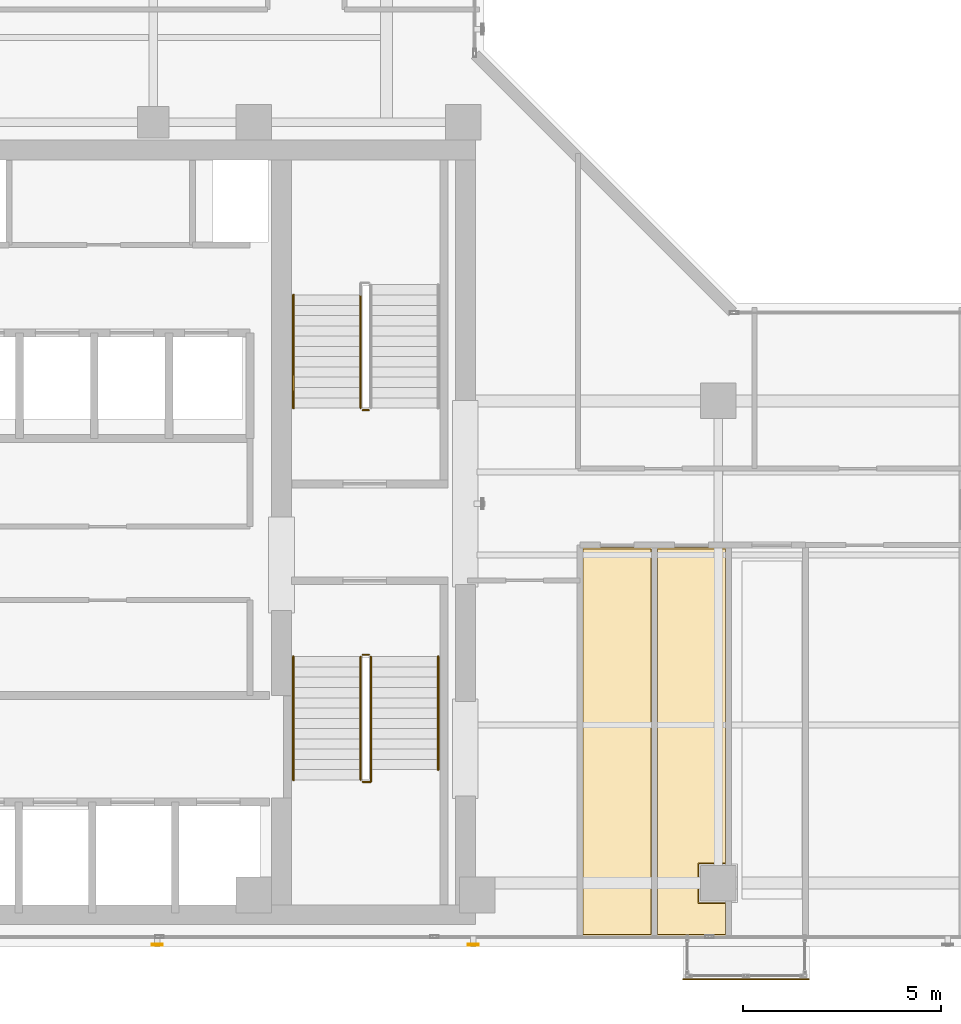
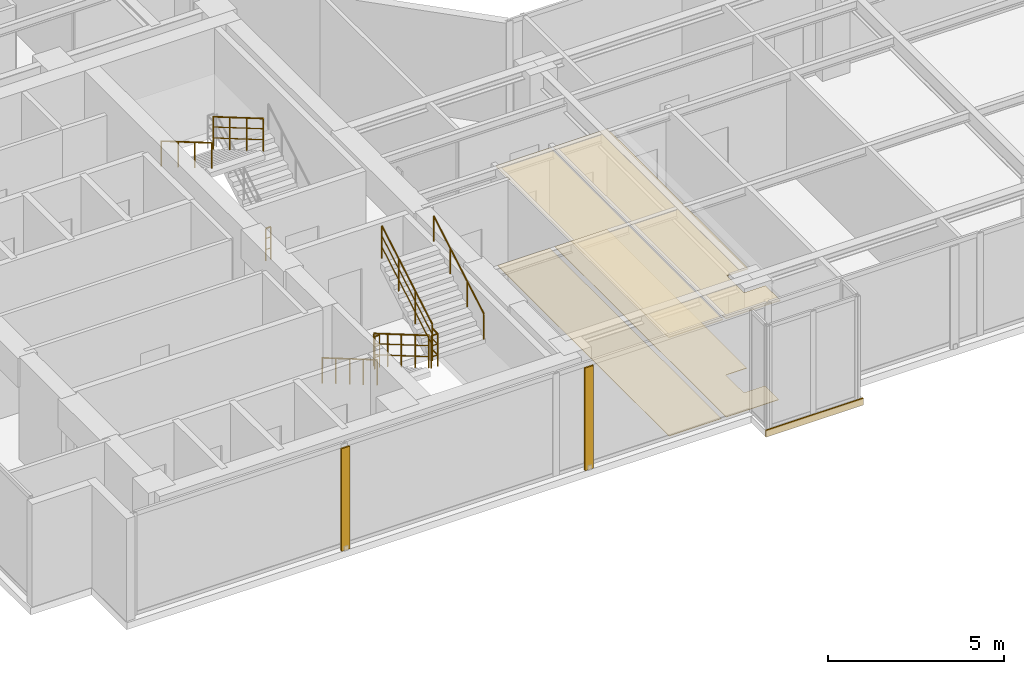
# One storey, part 20 of 22: 9 railings, 5 coverings, 2 shading devices.
"""IFC4 building model written with IfcOpenShell, lengths in metres."""

from ifc_helpers import new_model, si_unit, direction, frame, origin, origin_2d, place, context, subcontext, project, spatial, polyline, rectangle, hollow_rectangle, circle, outline, extrude, material, layer, layer_set, material_profile, profile_set, type_object, element, save


model = new_model("IFC4")

# Units and contexts
model_context = context("Model", 3, precision=1e-05, world=origin(), true_north=direction((0.0, 1.0)))
body_context = subcontext(model_context, "Body", "Model", "MODEL_VIEW")
ifc_project = project(units=[si_unit("LENGTHUNIT", "METRE"), si_unit("AREAUNIT", "SQUARE_METRE"), si_unit("VOLUMEUNIT", "CUBIC_METRE"), si_unit("PLANEANGLEUNIT", "RADIAN"), si_unit("MASSUNIT", "GRAM", prefix="KILO")], contexts=[model_context])

# Site, building, storey
site_placement = place(None, origin())
site = spatial("IfcSite", under=ifc_project, at=site_placement, CompositionType="ELEMENT")
building_placement = place(site_placement, origin())
building = spatial("IfcBuilding", under=site, at=building_placement, Name="Kolvaren Waterfront Exchange", CompositionType="ELEMENT")
storey_placement = place(building_placement, frame((0.0, 0.0, 308.39990234375)))
storey = spatial("IfcBuildingStorey", under=building, at=storey_placement, Name="L79", CompositionType="ELEMENT", Elevation=308.39990234375)

# Coverings
ifc_material_1 = material(Name="Mineral fibre acoustic ceiling tile")
ifc_layer_1 = layer(ifc_material_1, 0.02490234375, Name="Mineral fibre acoustic ceiling tile")
ifc_layer_set_1 = layer_set([ifc_layer_1], Name="Mineral fibre acoustic ceiling tile")
covering_type_1 = type_object("IfcCoveringType", Name="ARC-CEIL-ACOUSTIC-25", PredefinedType="CEILING", material=ifc_layer_set_1)
covering_1_placement = place(storey_placement, frame((0.0, 0.0, 3.445068359375)))
element("IfcCovering", 1, at=covering_1_placement, inside=storey, type_object=covering_type_1, Name="L79 acoustic suspended ceiling 1", PredefinedType="CEILING", context=body_context, shape_type="SweptSolid", body=[
    extrude(outline(polyline([(25.534912109375, 3.864990234375), (25.534912109375, 13.695068359375), (23.7451171875, 13.695068359375), (23.7451171875, 3.864990234375), (25.534912109375, 3.864990234375)])), origin(), (0.0, 0.0, 1.0), 0.025146484375),
])
covering_2_placement = place(storey_placement, frame((0.0, 0.0, 3.445068359375)))
element("IfcCovering", 2, at=covering_2_placement, inside=storey, type_object=covering_type_1, Name="L79 acoustic suspended ceiling 2", PredefinedType="CEILING", context=body_context, shape_type="SweptSolid", body=[
    extrude(outline(polyline([(27.4150390625, 4.7099609375), (26.7099609375, 4.7099609375), (26.7099609375, 5.68994140625), (27.4150390625, 5.68994140625), (27.4150390625, 13.695068359375), (25.625, 13.695068359375), (25.625, 3.864990234375), (27.4150390625, 3.864990234375), (27.4150390625, 4.7099609375)])), origin(), (0.0, 0.0, 1.0), 0.025146484375),
])
ifc_material_2 = material(Name="Anodised bronze fascia aluminium", Category="aluminium")
ifc_layer_2 = layer(ifc_material_2, 0.034912109375, Name="Anodised bronze fascia aluminium")
ifc_layer_set_2 = layer_set([ifc_layer_2], Name="Anodised bronze fascia aluminium")
covering_type_2 = type_object("IfcCoveringType", Name="ARC-CLAD-BRONZE-35", PredefinedType="CLADDING", material=ifc_layer_set_2)
covering_3_placement = place(storey_placement, frame((27.89990234375, 2.77001953125, -0.2197265625), z_axis=(0.0, 0.0, 1.0), x_axis=(1.0, 0.0, 0.0)))
element("IfcCovering", 3, at=covering_3_placement, inside=storey, type_object=covering_type_2, Name="L79 ribbed anodised bronze bay-box fascia", PredefinedType="CLADDING", context=body_context, shape_type="SweptSolid", body=[
    extrude(rectangle(XDim=3.199951171875, YDim=0.034912109375, at=origin_2d()), origin(), (0.0, 0.0, 1.0), 0.239990234375),
])

# Shading devices
ifc_material_3 = material(Name="Anodised bronze aluminium 6063-T6", Category="aluminium")
ifc_material_profile = material_profile(ifc_material_3, hollow_rectangle(XDim=0.054931640625, YDim=0.280029296875, WallThickness=0.00439453125, at=origin_2d()), Name="BRZ-FIN-280x55x4.5")
ifc_profile_set = profile_set([ifc_material_profile], Name="Anodised bronze aluminium 6063-T6")
shading_device_type = type_object("IfcShadingDeviceType", Name="ARC-FIN-280", PredefinedType="USERDEFINED", material=ifc_profile_set)
for number, where, z_axis, x_axis, name in (
    (4, (13.0, 3.639892578125, 0.0), (0.0, 0.0, 1.0), (0.0, -1.0, 0.0), "L79 anodised bronze solar shading fin FIN-L79-S1"),
    (5, (21.0, 3.639892578125, 0.0), (0.0, 0.0, 1.0), (0.0, -1.0, 0.0), "L79 anodised bronze solar shading fin FIN-L79-S2"),
):
    element("IfcShadingDevice", number, at=place(storey_placement, frame(where, z_axis=z_axis, x_axis=x_axis)), inside=storey, type_object=shading_device_type, Name=name, ObjectType="SOLAR FIN", PredefinedType="USERDEFINED", context=body_context, shape_type="SweptSolid", body=[
        extrude(hollow_rectangle(XDim=0.054931640625, YDim=0.280029296875, WallThickness=0.00439453125, at=origin_2d()), origin(), (0.0, 0.0, 1.0), 3.56005859375),
    ])

# Coverings
ifc_material_4 = material(Name="Slip-resistant porcelain tile")
ifc_layer_3 = layer(ifc_material_4, 0.014892578125, Name="Slip-resistant porcelain tile")
ifc_layer_set_3 = layer_set([ifc_layer_3], Name="Slip-resistant porcelain tile")
covering_type_3 = type_object("IfcCoveringType", Name="ARC-FLR-PORC-15", PredefinedType="FLOORING", material=ifc_layer_set_3)
covering_4_placement = place(storey_placement, origin())
element("IfcCovering", 6, at=covering_4_placement, inside=storey, type_object=covering_type_3, Name="L79 floor finish 1", PredefinedType="FLOORING", context=body_context, shape_type="SweptSolid", body=[
    extrude(outline(polyline([(23.780029296875, 13.659912109375), (23.780029296875, 3.89990234375), (25.5, 3.89990234375), (25.5, 13.659912109375), (23.780029296875, 13.659912109375)])), origin(), (0.0, 0.0, 1.0), 0.01513671875),
])
covering_5_placement = place(storey_placement, origin())
element("IfcCovering", 7, at=covering_5_placement, inside=storey, type_object=covering_type_3, Name="L79 floor finish 2", PredefinedType="FLOORING", context=body_context, shape_type="SweptSolid", body=[
    extrude(outline(polyline([(25.659912109375, 13.659912109375), (25.659912109375, 3.89990234375), (27.3798828125, 3.89990234375), (27.3798828125, 4.68994140625), (26.68994140625, 4.68994140625), (26.68994140625, 5.7099609375), (27.3798828125, 5.7099609375), (27.3798828125, 13.659912109375), (25.659912109375, 13.659912109375)])), origin(), (0.0, 0.0, 1.0), 0.01513671875),
])

# Railings
ifc_material_5 = material(Name="Stainless steel 316", Category="steel")
railing_type_1 = type_object("IfcRailingType", Name="ARC-GUARD-STAIR", PredefinedType="GUARDRAIL", material=ifc_material_5)
railing_1_placement = place(storey_placement, frame((18.14990234375, 10.929931640625, 0.152099609375)))
element("IfcRailing", 8, at=railing_1_placement, inside=storey, type_object=railing_type_1, Name="L79 ST1 stair guard 1", PredefinedType="GUARDRAIL", context=body_context, shape_type="SweptSolid", body=[
    extrude(circle(Radius=0.02392578125, at=origin_2d()), frame((0.0, 0.0, 1.1259765625), z_axis=(0.0, -0.86329090724, 0.504706656858), x_axis=(1.0, 0.0, 0.0)), (0.0, 0.0, 1.0), 3.614013671875),
    extrude(circle(Radius=0.01611328125, at=origin_2d()), frame((0.0, 0.0, 0.390869140625), z_axis=(0.0, -0.86329090724, 0.504706656858), x_axis=(1.0, 0.0, 0.0)), (0.0, 0.0, 1.0), 3.614013671875),
    extrude(circle(Radius=0.01611328125, at=origin_2d()), frame((0.0, 0.0, 0.7705078125), z_axis=(0.0, -0.86329090724, 0.504706656858), x_axis=(1.0, 0.0, 0.0)), (0.0, 0.0, 1.0), 3.614013671875),
    extrude(circle(Radius=0.02099609375, at=origin_2d()), origin(), (0.0, 0.0, 1.0), 1.101806640625),
    extrude(circle(Radius=0.02099609375, at=origin_2d()), frame((0.0, -0.780029296875, 0.4560546875)), (0.0, 0.0, 1.0), 1.101806640625),
    extrude(circle(Radius=0.02099609375, at=origin_2d()), frame((0.0, -1.56005859375, 0.912109375)), (0.0, 0.0, 1.0), 1.101806640625),
    extrude(circle(Radius=0.02099609375, at=origin_2d()), frame((0.0, -2.33984375, 1.367919921875)), (0.0, 0.0, 1.0), 1.101806640625),
    extrude(circle(Radius=0.02099609375, at=origin_2d()), frame((0.0, -3.119873046875, 1.823974609375)), (0.0, 0.0, 1.0), 1.101806640625),
])
railing_2_placement = place(storey_placement, frame((18.199951171875, 7.760009765625, 1.97607421875)))
element("IfcRailing", 9, at=railing_2_placement, inside=storey, type_object=railing_type_1, Name="L79 ST1 stair guard 2", PredefinedType="GUARDRAIL", context=body_context, shape_type="SweptSolid", body=[
    extrude(circle(Radius=0.02392578125, at=origin_2d()), frame((0.0, 0.0, 1.1259765625), z_axis=(1.0, 0.0, 0.0), x_axis=(0.0, 1.0, 0.0)), (0.0, 0.0, 1.0), 0.2099609375),
    extrude(circle(Radius=0.01611328125, at=origin_2d()), frame((0.0, 0.0, 0.390869140625), z_axis=(1.0, 0.0, 0.0), x_axis=(0.0, 1.0, 0.0)), (0.0, 0.0, 1.0), 0.2099609375),
    extrude(circle(Radius=0.01611328125, at=origin_2d()), frame((0.0, 0.0, 0.7705078125), z_axis=(1.0, 0.0, 0.0), x_axis=(0.0, 1.0, 0.0)), (0.0, 0.0, 1.0), 0.2099609375),
    extrude(circle(Radius=0.02392578125, at=origin_2d()), frame((0.2099609375, 0.0, 1.1259765625), z_axis=(0.0, 1.0, 0.0), x_axis=(-1.0, 0.0, 0.0)), (0.0, 0.0, 1.0), 0.31005859375),
    extrude(circle(Radius=0.01611328125, at=origin_2d()), frame((0.2099609375, 0.0, 0.390869140625), z_axis=(0.0, 1.0, 0.0), x_axis=(-1.0, 0.0, 0.0)), (0.0, 0.0, 1.0), 0.31005859375),
    extrude(circle(Radius=0.01611328125, at=origin_2d()), frame((0.2099609375, 0.0, 0.7705078125), z_axis=(0.0, 1.0, 0.0), x_axis=(-1.0, 0.0, 0.0)), (0.0, 0.0, 1.0), 0.31005859375),
    extrude(circle(Radius=0.02099609375, at=origin_2d()), origin(), (0.0, 0.0, 1.0), 1.101806640625),
    extrude(circle(Radius=0.02099609375, at=origin_2d()), frame((0.2099609375, 0.0, 0.0)), (0.0, 0.0, 1.0), 1.101806640625),
    extrude(circle(Radius=0.02099609375, at=origin_2d()), frame((0.2099609375, 0.31005859375, 0.0)), (0.0, 0.0, 1.0), 1.101806640625),
])
railing_3_placement = place(storey_placement, frame((18.409912109375, 8.070068359375, 2.128173828125)))
element("IfcRailing", 10, at=railing_3_placement, inside=storey, type_object=railing_type_1, Name="L79 ST1 stair guard 3", PredefinedType="GUARDRAIL", context=body_context, shape_type="SweptSolid", body=[
    extrude(circle(Radius=0.02392578125, at=origin_2d()), frame((0.0, 0.0, 1.1259765625), z_axis=(0.0, 0.86330272217, 0.504686447108), x_axis=(-1.0, 0.0, 0.0)), (0.0, 0.0, 1.0), 3.312744140625),
    extrude(circle(Radius=0.01611328125, at=origin_2d()), frame((0.0, 0.0, 0.390869140625), z_axis=(0.0, 0.86330272217, 0.504686447108), x_axis=(-1.0, 0.0, 0.0)), (0.0, 0.0, 1.0), 3.312744140625),
    extrude(circle(Radius=0.01611328125, at=origin_2d()), frame((0.0, 0.0, 0.7705078125), z_axis=(0.0, 0.86330272217, 0.504686447108), x_axis=(-1.0, 0.0, 0.0)), (0.0, 0.0, 1.0), 3.312744140625),
    extrude(circle(Radius=0.02099609375, at=origin_2d()), origin(), (0.0, 0.0, 1.0), 1.101806640625),
    extrude(circle(Radius=0.02099609375, at=origin_2d()), frame((0.0, 0.953369140625, 0.557373046875)), (0.0, 0.0, 1.0), 1.101806640625),
    extrude(circle(Radius=0.02099609375, at=origin_2d()), frame((0.0, 1.906494140625, 1.114501953125)), (0.0, 0.0, 1.0), 1.101806640625),
    extrude(circle(Radius=0.02099609375, at=origin_2d()), frame((0.0, 2.85986328125, 1.671875)), (0.0, 0.0, 1.0), 1.101806640625),
])
railing_4_placement = place(storey_placement, frame((18.199951171875, 10.97998046875, 0.0)))
element("IfcRailing", 11, at=railing_4_placement, inside=storey, type_object=railing_type_1, Name="L79 ST1 stair guard 4", PredefinedType="GUARDRAIL", context=body_context, shape_type="SweptSolid", body=[
    extrude(circle(Radius=0.02392578125, at=origin_2d()), frame((0.0, 0.0, 1.1259765625), z_axis=(1.0, 0.0, 0.0), x_axis=(0.0, 1.0, 0.0)), (0.0, 0.0, 1.0), 0.16015625),
    extrude(circle(Radius=0.01611328125, at=origin_2d()), frame((0.0, 0.0, 0.390869140625), z_axis=(1.0, 0.0, 0.0), x_axis=(0.0, 1.0, 0.0)), (0.0, 0.0, 1.0), 0.16015625),
    extrude(circle(Radius=0.01611328125, at=origin_2d()), frame((0.0, 0.0, 0.7705078125), z_axis=(1.0, 0.0, 0.0), x_axis=(0.0, 1.0, 0.0)), (0.0, 0.0, 1.0), 0.16015625),
    extrude(circle(Radius=0.02099609375, at=origin_2d()), origin(), (0.0, 0.0, 1.0), 1.101806640625),
    extrude(circle(Radius=0.02099609375, at=origin_2d()), frame((0.16015625, 0.0, 0.0)), (0.0, 0.0, 1.0), 1.101806640625),
])
railing_5_placement = place(storey_placement, frame((18.14990234375, 20.080078125, 2.128173828125)))
element("IfcRailing", 12, at=railing_5_placement, inside=storey, type_object=railing_type_1, Name="L79 ST2 stair guard 3", PredefinedType="GUARDRAIL", context=body_context, shape_type="SweptSolid", body=[
    extrude(circle(Radius=0.02392578125, at=origin_2d()), frame((0.0, 0.0, 1.1259765625), z_axis=(0.0, -0.863321491973, 0.504654338629), x_axis=(1.0, 0.0, 0.0)), (0.0, 0.0, 1.0), 3.31298828125),
    extrude(circle(Radius=0.01611328125, at=origin_2d()), frame((0.0, 0.0, 0.390869140625), z_axis=(0.0, -0.863321491973, 0.504654338629), x_axis=(1.0, 0.0, 0.0)), (0.0, 0.0, 1.0), 3.31298828125),
    extrude(circle(Radius=0.01611328125, at=origin_2d()), frame((0.0, 0.0, 0.7705078125), z_axis=(0.0, -0.863321491973, 0.504654338629), x_axis=(1.0, 0.0, 0.0)), (0.0, 0.0, 1.0), 3.31298828125),
    extrude(circle(Radius=0.02099609375, at=origin_2d()), origin(), (0.0, 0.0, 1.0), 1.101806640625),
    extrude(circle(Radius=0.02099609375, at=origin_2d()), frame((0.0, -0.953369140625, 0.557373046875)), (0.0, 0.0, 1.0), 1.101806640625),
    extrude(circle(Radius=0.02099609375, at=origin_2d()), frame((0.0, -1.90673828125, 1.114501953125)), (0.0, 0.0, 1.0), 1.101806640625),
    extrude(circle(Radius=0.02099609375, at=origin_2d()), frame((0.0, -2.860107421875, 1.671875)), (0.0, 0.0, 1.0), 1.101806640625),
])
railing_6_placement = place(storey_placement, frame((18.360107421875, 17.169921875, 0.0)))
element("IfcRailing", 13, at=railing_6_placement, inside=storey, type_object=railing_type_1, Name="L79 ST2 stair guard 4", PredefinedType="GUARDRAIL", context=body_context, shape_type="SweptSolid", body=[
    extrude(circle(Radius=0.02392578125, at=origin_2d()), frame((0.0, 0.0, 1.1259765625), z_axis=(-1.0, 0.0, 0.0), x_axis=(0.0, -1.0, 0.0)), (0.0, 0.0, 1.0), 0.16015625),
    extrude(circle(Radius=0.01611328125, at=origin_2d()), frame((0.0, 0.0, 0.390869140625), z_axis=(-1.0, 0.0, 0.0), x_axis=(0.0, -1.0, 0.0)), (0.0, 0.0, 1.0), 0.16015625),
    extrude(circle(Radius=0.01611328125, at=origin_2d()), frame((0.0, 0.0, 0.7705078125), z_axis=(-1.0, 0.0, 0.0), x_axis=(0.0, -1.0, 0.0)), (0.0, 0.0, 1.0), 0.16015625),
    extrude(circle(Radius=0.02099609375, at=origin_2d()), origin(), (0.0, 0.0, 1.0), 1.101806640625),
    extrude(circle(Radius=0.02099609375, at=origin_2d()), frame((-0.16015625, 0.0, 0.0)), (0.0, 0.0, 1.0), 1.101806640625),
])
railing_type_2 = type_object("IfcRailingType", Name="ARC-HANDRAIL-900", PredefinedType="HANDRAIL", material=ifc_material_5)
railing_7_placement = place(storey_placement, frame((16.449951171875, 10.929931640625, 0.152099609375)))
element("IfcRailing", 14, at=railing_7_placement, inside=storey, type_object=railing_type_2, Name="L79 ST1 stair handrail 1", PredefinedType="HANDRAIL", context=body_context, shape_type="SweptSolid", body=[
    extrude(circle(Radius=0.02392578125, at=origin_2d()), frame((0.0, 0.0, 0.8759765625), z_axis=(0.0, -0.86329090724, 0.504706656858), x_axis=(1.0, 0.0, 0.0)), (0.0, 0.0, 1.0), 3.614013671875),
    extrude(circle(Radius=0.02099609375, at=origin_2d()), origin(), (0.0, 0.0, 1.0), 0.851806640625),
    extrude(circle(Radius=0.02099609375, at=origin_2d()), frame((0.0, -0.780029296875, 0.4560546875)), (0.0, 0.0, 1.0), 0.851806640625),
    extrude(circle(Radius=0.02099609375, at=origin_2d()), frame((0.0, -1.56005859375, 0.912109375)), (0.0, 0.0, 1.0), 0.851806640625),
    extrude(circle(Radius=0.02099609375, at=origin_2d()), frame((0.0, -2.33984375, 1.367919921875)), (0.0, 0.0, 1.0), 0.851806640625),
    extrude(circle(Radius=0.02099609375, at=origin_2d()), frame((0.0, -3.119873046875, 1.823974609375)), (0.0, 0.0, 1.0), 0.851806640625),
])
railing_8_placement = place(storey_placement, frame((20.110107421875, 8.070068359375, 2.128173828125)))
element("IfcRailing", 15, at=railing_8_placement, inside=storey, type_object=railing_type_2, Name="L79 ST1 stair handrail 2", PredefinedType="HANDRAIL", context=body_context, shape_type="SweptSolid", body=[
    extrude(circle(Radius=0.02392578125, at=origin_2d()), frame((0.0, 0.0, 0.8759765625), z_axis=(0.0, 0.86330272217, 0.504686447108), x_axis=(-1.0, 0.0, 0.0)), (0.0, 0.0, 1.0), 3.312744140625),
    extrude(circle(Radius=0.02099609375, at=origin_2d()), origin(), (0.0, 0.0, 1.0), 0.851806640625),
    extrude(circle(Radius=0.02099609375, at=origin_2d()), frame((0.0, 0.953369140625, 0.557373046875)), (0.0, 0.0, 1.0), 0.851806640625),
    extrude(circle(Radius=0.02099609375, at=origin_2d()), frame((0.0, 1.906494140625, 1.114501953125)), (0.0, 0.0, 1.0), 0.851806640625),
    extrude(circle(Radius=0.02099609375, at=origin_2d()), frame((0.0, 2.85986328125, 1.671875)), (0.0, 0.0, 1.0), 0.851806640625),
])
railing_9_placement = place(storey_placement, frame((16.449951171875, 20.080078125, 2.128173828125)))
element("IfcRailing", 16, at=railing_9_placement, inside=storey, type_object=railing_type_2, Name="L79 ST2 stair handrail 2", PredefinedType="HANDRAIL", context=body_context, shape_type="SweptSolid", body=[
    extrude(circle(Radius=0.02392578125, at=origin_2d()), frame((0.0, 0.0, 0.8759765625), z_axis=(0.0, -0.863321491973, 0.504654338629), x_axis=(1.0, 0.0, 0.0)), (0.0, 0.0, 1.0), 3.31298828125),
    extrude(circle(Radius=0.02099609375, at=origin_2d()), origin(), (0.0, 0.0, 1.0), 0.851806640625),
    extrude(circle(Radius=0.02099609375, at=origin_2d()), frame((0.0, -0.953369140625, 0.557373046875)), (0.0, 0.0, 1.0), 0.851806640625),
    extrude(circle(Radius=0.02099609375, at=origin_2d()), frame((0.0, -1.90673828125, 1.114501953125)), (0.0, 0.0, 1.0), 0.851806640625),
    extrude(circle(Radius=0.02099609375, at=origin_2d()), frame((0.0, -2.860107421875, 1.671875)), (0.0, 0.0, 1.0), 0.851806640625),
])

save(model, "model.ifc")
